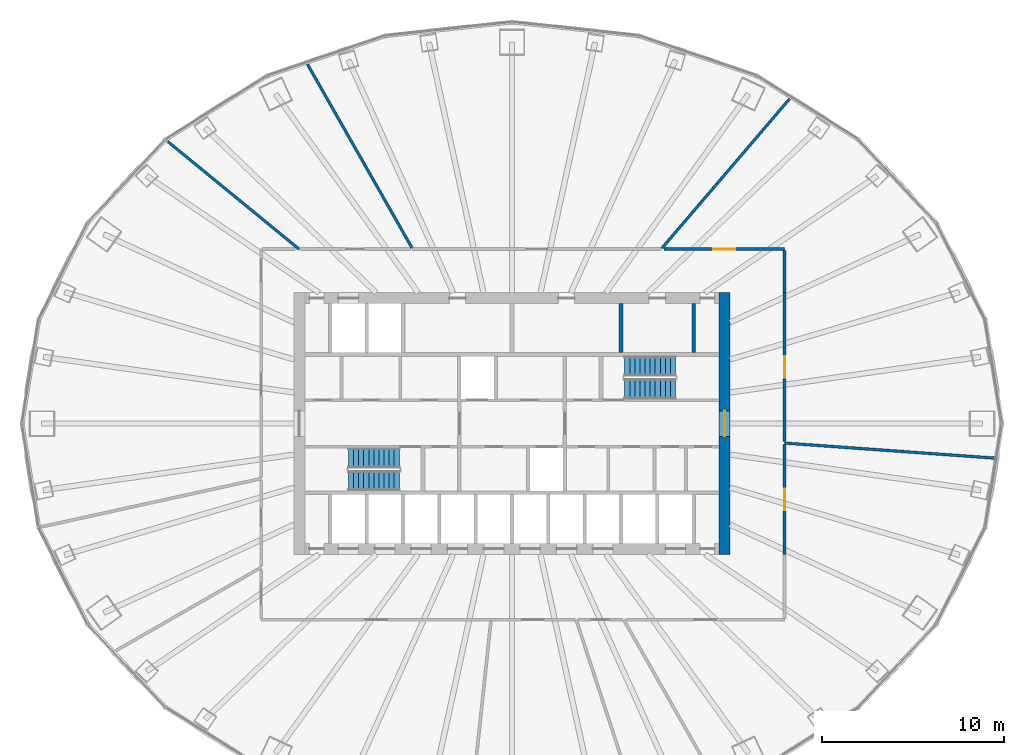
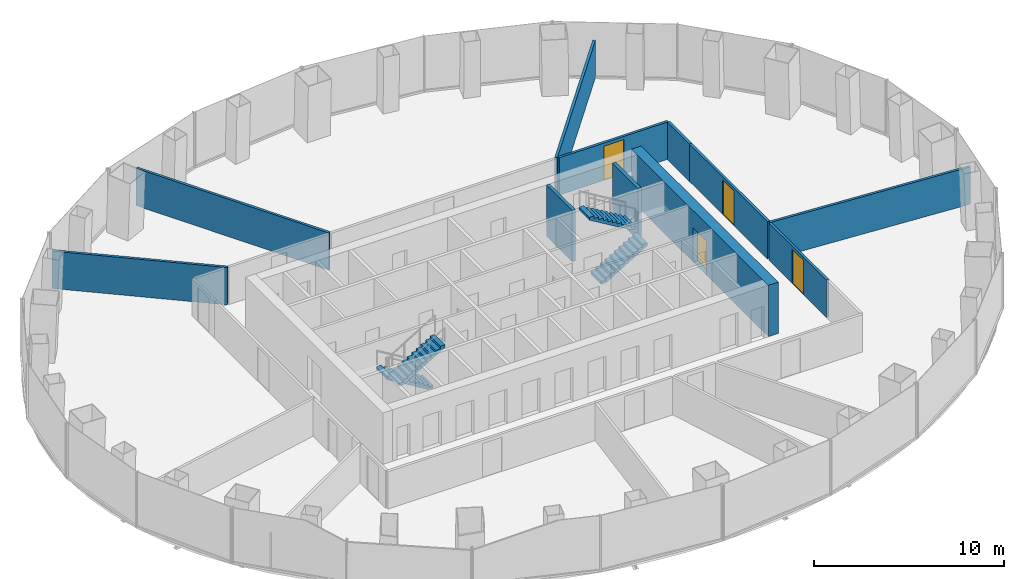
# One storey, part 10 of 11: 11 walls, 4 doors, 4 stair flights, 4 openings, 2 elements without a shape of their own.
"""IFC4 building model written with IfcOpenShell, lengths in metres."""

from ifc_helpers import new_model, si_unit, direction, frame, frame_2d, origin, place, context, subcontext, project, spatial, polyline, rectangle, outline, extrude, material, layer, layer_set, type_object, element, fill, aggregate, save


model = new_model("IFC4")

# Units and contexts
model_context = context("Model", 3, precision=1e-05, world=origin(), true_north=direction((0.0, 1.0)))
body_context = subcontext(model_context, "Body", "Model", "MODEL_VIEW")
ifc_project = project(units=[si_unit("LENGTHUNIT", "METRE"), si_unit("AREAUNIT", "SQUARE_METRE"), si_unit("VOLUMEUNIT", "CUBIC_METRE"), si_unit("PLANEANGLEUNIT", "RADIAN"), si_unit("MASSUNIT", "GRAM", prefix="KILO")], contexts=[model_context])

# Site, building, storey
site_placement = place(None, origin())
site = spatial("IfcSite", under=ifc_project, at=site_placement, CompositionType="ELEMENT")
building_placement = place(site_placement, origin())
building = spatial("IfcBuilding", under=site, at=building_placement, Name="Siaravel Broadcast Tower", CompositionType="ELEMENT")
storey_placement = place(building_placement, frame((0.0, 0.0, 74.10009765625)))
storey = spatial("IfcBuildingStorey", under=building, at=storey_placement, Name="L17", CompositionType="ELEMENT", Elevation=74.10009765625)

# Wall
ifc_material_1 = material(Name="Concrete blockwork", Category="masonry")
ifc_layer_1 = layer(ifc_material_1, 0.199951171875)
ifc_layer_set_1 = layer_set([ifc_layer_1], Name="Concrete blockwork")
wall_type_1 = type_object("IfcWallType", Name="Core partition 200", PredefinedType="PARTITIONING", material=ifc_layer_set_1)
wall_1_placement = place(storey_placement, frame((6.0, 3.89990234375, 0.0), z_axis=(0.0, 0.0, 1.0), x_axis=(0.0, 1.0, 0.0)))
element("IfcWall", 1, at=wall_1_placement, inside=storey, type_object=wall_type_1, Name="L17 core partition PFN5", PredefinedType="PARTITIONING", context=body_context, shape_type="SweptSolid", body=[
    extrude(rectangle(XDim=2.7001953125, YDim=0.199951171875, at=frame_2d((1.35009765625, 0.0))), origin(), (0.0, 0.0, 1.0), 3.2998046875),
])

# Wall, opening, door
ifc_material_2 = material(Name="Concrete C60/75", Category="concrete")
ifc_layer_2 = layer(ifc_material_2, 0.60009765625)
ifc_layer_set_2 = layer_set([ifc_layer_2], Name="Concrete C60/75")
wall_type_2 = type_object("IfcWallType", Name="Core wall 600", PredefinedType="SHEAR", material=ifc_layer_set_2)
wall_2_placement = place(storey_placement, frame((11.699951171875, -7.199951171875, 0.0), z_axis=(0.0, 0.0, 1.0), x_axis=(0.0, 1.0, 0.0)))
wall_2 = element("IfcWall", 2, at=wall_2_placement, inside=storey, type_object=wall_type_2, Name="L17 core wall OE", PredefinedType="SHEAR", context=body_context, shape_type="SweptSolid", body=[
    extrude(rectangle(XDim=14.39990234375, YDim=0.60009765625, at=frame_2d((7.199951171875, 0.0))), origin(), (0.0, 0.0, 1.0), 3.2998046875),
])
opening_1_placement = place(wall_2_placement, frame((6.5, 0.0, 0.0)))
opening_1 = element("IfcOpeningElement", 3, at=opening_1_placement, cuts=wall_2, Name="Opening L17-DX-E", PredefinedType="OPENING", context=body_context, shape_type="SweptSolid", body=[
    extrude(rectangle(XDim=1.39990234375, YDim=2.199951171875, at=frame_2d((0.699951171875, 1.10009765625))), frame((0.0, 0.31005859375, 0.0), z_axis=(0.0, -1.0, 0.0), x_axis=(1.0, 0.0, 0.0)), (0.0, 0.0, 1.0), 0.6201171875),
])
ifc_material_3 = material(Name="Steel", Category="steel")
door_type_1 = type_object("IfcDoorType", Name="Core exit door 1400", OperationType="DOUBLE_DOOR_SINGLE_SWING", PredefinedType="DOOR", material=ifc_material_3)
door_1_placement = place(opening_1_placement, origin())
door_1 = element("IfcDoor", 4, at=door_1_placement, inside=storey, type_object=door_type_1, Name="L17 door DX-E", OperationType="DOUBLE_DOOR_SINGLE_SWING", OverallHeight=2.199951171875, OverallWidth=1.39990234375, PredefinedType="DOOR", context=body_context, shape_type="SweptSolid", body=[
    extrude(rectangle(XDim=1.39990234375, YDim=2.199951171875, at=frame_2d((0.699951171875, 1.10009765625))), frame((0.0, 0.02490234375, 0.0), z_axis=(0.0, -1.0, 0.0), x_axis=(1.0, 0.0, 0.0)), (0.0, 0.0, 1.0), 0.050048828125),
])
fill(opening_1, door_1)

ifc_material_4 = material(Name="Gypsum board partition", Category="gypsum")
ifc_layer_3 = layer(ifc_material_4, 0.14990234375)
ifc_layer_set_3 = layer_set([ifc_layer_3], Name="Gypsum board partition")
wall_type_3 = type_object("IfcWallType", Name="Corridor wall 150", PredefinedType="PARTITIONING", material=ifc_layer_set_3)
wall_3_placement = place(storey_placement, frame((15.0, -0.998291015625, 0.0), z_axis=(0.0, 0.0, 1.0), x_axis=(0.0, 1.0, 0.0)))
wall_3 = element("IfcWall", 5, at=wall_3_placement, inside=storey, type_object=wall_type_3, Name="L17 partition 14", PredefinedType="PARTITIONING", context=body_context, shape_type="SweptSolid", body=[
    extrude(rectangle(XDim=8.210205078125, YDim=0.14990234375, at=frame_2d((4.10498046875, 0.0))), origin(), (0.0, 0.0, 1.0), 2.39990234375),
])
opening_2_placement = place(wall_3_placement, frame((3.505126953125, 0.0, 0.0)))
opening_2 = element("IfcOpeningElement", 6, at=opening_2_placement, cuts=wall_3, Name="Opening L17-003", PredefinedType="OPENING", context=body_context, shape_type="SweptSolid", body=[
    extrude(rectangle(XDim=1.199951171875, YDim=2.199951171875, at=frame_2d((0.60009765625, 1.10009765625))), frame((0.0, 0.0849609375, 0.0), z_axis=(0.0, -1.0, 0.0), x_axis=(1.0, 0.0, 0.0)), (0.0, 0.0, 1.0), 0.169921875),
])
ifc_material_5 = material(Name="Timber veneer", Category="wood")
door_type_2 = type_object("IfcDoorType", Name="Office double door 1200", OperationType="DOUBLE_DOOR_SINGLE_SWING", PredefinedType="DOOR", material=ifc_material_5)
door_2_placement = place(opening_2_placement, origin())
door_2 = element("IfcDoor", 7, at=door_2_placement, inside=storey, type_object=door_type_2, Name="L17 door to Open plan newsroom", OperationType="DOUBLE_DOOR_SINGLE_SWING", OverallHeight=2.199951171875, OverallWidth=1.199951171875, PredefinedType="DOOR", context=body_context, shape_type="SweptSolid", body=[
    extrude(rectangle(XDim=1.199951171875, YDim=2.199951171875, at=frame_2d((0.60009765625, 1.10009765625))), frame((0.0, 0.02490234375, 0.0), z_axis=(0.0, -1.0, 0.0), x_axis=(1.0, 0.0, 0.0)), (0.0, 0.0, 1.0), 0.050048828125),
])
fill(opening_2, door_2)

wall_4_placement = place(storey_placement, frame((15.0, 9.60009765625, 0.0), z_axis=(0.0, 0.0, 1.0), x_axis=(-1.0, 0.0, 0.0)))
wall_4 = element("IfcWall", 8, at=wall_4_placement, inside=storey, type_object=wall_type_3, Name="L17 partition 15", PredefinedType="PARTITIONING", context=body_context, shape_type="SweptSolid", body=[
    extrude(rectangle(XDim=6.62890625, YDim=0.14990234375, at=frame_2d((3.314453125, 0.0))), origin(), (0.0, 0.0, 1.0), 2.39990234375),
])
opening_3_placement = place(wall_4_placement, frame((2.71435546875, 0.0, 0.0)))
opening_3 = element("IfcOpeningElement", 9, at=opening_3_placement, cuts=wall_4, Name="Opening L17-004", PredefinedType="OPENING", context=body_context, shape_type="SweptSolid", body=[
    extrude(rectangle(XDim=1.199951171875, YDim=2.199951171875, at=frame_2d((0.60009765625, 1.10009765625))), frame((0.0, 0.0849609375, 0.0), z_axis=(0.0, -1.0, 0.0), x_axis=(1.0, 0.0, 0.0)), (0.0, 0.0, 1.0), 0.169921875),
])
door_3_placement = place(opening_3_placement, origin())
door_3 = element("IfcDoor", 10, at=door_3_placement, inside=storey, type_object=door_type_2, Name="L17 door to Open plan newsroom", OperationType="DOUBLE_DOOR_SINGLE_SWING", OverallHeight=2.199951171875, OverallWidth=1.199951171875, PredefinedType="DOOR", context=body_context, shape_type="SweptSolid", body=[
    extrude(rectangle(XDim=1.199951171875, YDim=2.199951171875, at=frame_2d((0.60009765625, 1.10009765625))), frame((0.0, 0.02490234375, 0.0), z_axis=(0.0, -1.0, 0.0), x_axis=(1.0, 0.0, 0.0)), (0.0, 0.0, 1.0), 0.050048828125),
])
fill(opening_3, door_3)

wall_5_placement = place(storey_placement, frame((15.0, -7.2119140625, 0.0), z_axis=(0.0, 0.0, 1.0), x_axis=(0.0, 1.0, 0.0)))
wall_5 = element("IfcWall", 11, at=wall_5_placement, inside=storey, type_object=wall_type_3, Name="L17 partition 17", PredefinedType="PARTITIONING", context=body_context, shape_type="SweptSolid", body=[
    extrude(rectangle(XDim=6.054443359375, YDim=0.14990234375, at=frame_2d((3.02734375, 0.0))), origin(), (0.0, 0.0, 1.0), 2.39990234375),
])
opening_4_placement = place(wall_5_placement, frame((2.42724609375, 0.0, 0.0)))
opening_4 = element("IfcOpeningElement", 12, at=opening_4_placement, cuts=wall_5, Name="Opening L17-002", PredefinedType="OPENING", context=body_context, shape_type="SweptSolid", body=[
    extrude(rectangle(XDim=1.199951171875, YDim=2.199951171875, at=frame_2d((0.60009765625, 1.10009765625))), frame((0.0, 0.0849609375, 0.0), z_axis=(0.0, -1.0, 0.0), x_axis=(1.0, 0.0, 0.0)), (0.0, 0.0, 1.0), 0.169921875),
])
door_4_placement = place(opening_4_placement, origin())
door_4 = element("IfcDoor", 13, at=door_4_placement, inside=storey, type_object=door_type_2, Name="L17 door to Open plan newsroom", OperationType="DOUBLE_DOOR_SINGLE_SWING", OverallHeight=2.199951171875, OverallWidth=1.199951171875, PredefinedType="DOOR", context=body_context, shape_type="SweptSolid", body=[
    extrude(rectangle(XDim=1.199951171875, YDim=2.199951171875, at=frame_2d((0.60009765625, 1.10009765625))), frame((0.0, 0.02490234375, 0.0), z_axis=(0.0, -1.0, 0.0), x_axis=(1.0, 0.0, 0.0)), (0.0, 0.0, 1.0), 0.050048828125),
])
fill(opening_4, door_4)

# Walls
wall_6_placement = place(storey_placement, frame((15.0, 7.212890625, 0.0), z_axis=(0.0, 0.0, 1.0), x_axis=(0.0, 1.0, 0.0)))
element("IfcWall", 14, at=wall_6_placement, inside=storey, type_object=wall_type_3, Name="L17 partition 24", PredefinedType="PARTITIONING", context=body_context, shape_type="SweptSolid", body=[
    extrude(rectangle(XDim=2.31005859375, YDim=0.14990234375, at=frame_2d((1.155029296875, 0.0))), origin(), (0.0, 0.0, 1.0), 2.39990234375),
])
ifc_layer_4 = layer(ifc_material_4, 0.14990234375)
ifc_layer_set_4 = layer_set([ifc_layer_4], Name="Gypsum board partition")
wall_type_4 = type_object("IfcWallType", Name="Room partition 150", PredefinedType="PARTITIONING", material=ifc_layer_set_4)
wall_7_placement = place(storey_placement, frame((-11.313720703125, 19.873779296875, 0.0), z_axis=(0.0, 0.0, 1.0), x_axis=(0.49473362, -0.869044674, 0.0)))
element("IfcWall", 15, at=wall_7_placement, inside=storey, type_object=wall_type_4, Name="L17 partition 4", PredefinedType="PARTITIONING", context=body_context, shape_type="SweptSolid", body=[
    extrude(rectangle(XDim=11.754638671875, YDim=0.14990234375, at=frame_2d((5.87744140625, 0.0))), origin(), (0.0, 0.0, 1.0), 2.39990234375),
])
wall_8_placement = place(storey_placement, frame((26.691650390625, -1.912841796875, 0.0), z_axis=(0.0, 0.0, 1.0), x_axis=(-0.997441861, 0.071482396, 0.0)))
element("IfcWall", 16, at=wall_8_placement, inside=storey, type_object=wall_type_4, Name="L17 partition 5", PredefinedType="PARTITIONING", context=body_context, shape_type="SweptSolid", body=[
    extrude(rectangle(XDim=11.7216796875, YDim=0.14990234375, at=frame_2d((5.86083984375, 0.0))), origin(), (0.0, 0.0, 1.0), 2.39990234375),
])
wall_9_placement = place(storey_placement, frame((15.35693359375, 17.965087890625, 0.0), z_axis=(0.0, 0.0, 1.0), x_axis=(-0.649780526, -0.760121877, 0.0)))
element("IfcWall", 17, at=wall_9_placement, inside=storey, type_object=wall_type_4, Name="L17 partition 7", PredefinedType="PARTITIONING", context=body_context, shape_type="SweptSolid", body=[
    extrude(rectangle(XDim=10.94580078125, YDim=0.14990234375, at=frame_2d((5.472900390625, 0.0))), origin(), (0.0, 0.0, 1.0), 2.39990234375),
])
wall_10_placement = place(storey_placement, frame((-18.93701171875, 15.511474609375, 0.0), z_axis=(0.0, 0.0, 1.0), x_axis=(0.773614383, -0.633656678, 0.0)))
element("IfcWall", 18, at=wall_10_placement, inside=storey, type_object=wall_type_4, Name="L17 partition 12", PredefinedType="PARTITIONING", context=body_context, shape_type="SweptSolid", body=[
    extrude(rectangle(XDim=9.3291015625, YDim=0.14990234375, at=frame_2d((4.66455078125, 0.0))), origin(), (0.0, 0.0, 1.0), 2.39990234375),
])
ifc_layer_5 = layer(ifc_material_2, 0.199951171875)
ifc_layer_set_5 = layer_set([ifc_layer_5], Name="Concrete C60/75")
wall_type_5 = type_object("IfcWallType", Name="Shaft wall 200", PredefinedType="SHEAR", material=ifc_layer_set_5)
wall_11_placement = place(storey_placement, frame((10.0, 3.89990234375, 0.0), z_axis=(0.0, 0.0, 1.0), x_axis=(0.0, 1.0, 0.0)))
element("IfcWall", 19, at=wall_11_placement, inside=storey, type_object=wall_type_5, Name="L17 core wall SWN10", PredefinedType="SHEAR", context=body_context, shape_type="SweptSolid", body=[
    extrude(rectangle(XDim=2.7001953125, YDim=0.199951171875, at=frame_2d((1.35009765625, 0.0))), origin(), (0.0, 0.0, 1.0), 3.2998046875),
])

# Stair, stair flights
ifc_material_6 = material(Name="Concrete C40/50", Category="concrete")
stair_type = type_object("IfcStairType", Name="Core exit stair", PredefinedType="HALF_TURN_STAIR", material=ifc_material_6)
stair_1_placement = place(storey_placement, origin())
stair_1 = element("IfcStair", 20, at=stair_1_placement, inside=storey, type_object=stair_type, Name="L17 Exit stair ST-1", PredefinedType="HALF_TURN_STAIR")
stair_flight_type = type_object("IfcStairFlightType", Name="Stair flight 1100", PredefinedType="STRAIGHT", material=ifc_material_6)
stair_flight_1_placement = place(storey_placement, frame((-6.199951171875, -1.89990234375, 0.0), z_axis=(0.0, 0.0, 1.0), x_axis=(-1.0, 0.0, 0.0)))
stair_flight_1 = element("IfcStairFlight", 21, at=stair_flight_1_placement, type_object=stair_flight_type, Name="ST-1 flight 1", NumberOfRisers=11, NumberOfTreads=10, PredefinedType="STRAIGHT", RiserHeight=0.1681818, TreadLength=0.28, context=body_context, shape_type="SweptSolid", body=[
    extrude(outline(polyline([(0.0, 0.0), (0.0, 0.168212890625), (0.280029296875, 0.168212890625), (0.280029296875, 0.33642578125), (0.56005859375, 0.33642578125), (0.56005859375, 0.504638671875), (0.840087890625, 0.504638671875), (0.840087890625, 0.672607421875), (1.1201171875, 0.672607421875), (1.1201171875, 0.8408203125), (1.39990234375, 0.8408203125), (1.39990234375, 1.009033203125), (1.679931640625, 1.009033203125), (1.679931640625, 1.17724609375), (1.9599609375, 1.17724609375), (1.9599609375, 1.345458984375), (2.239990234375, 1.345458984375), (2.239990234375, 1.513671875), (2.52001953125, 1.513671875), (2.52001953125, 1.681884765625), (2.800048828125, 1.681884765625), (2.800048828125, 1.85009765625), (2.800048828125, 1.5068359375), (0.291015625, 0.0), (0.0, 0.0)])), frame((0.0, 0.550048828125, 0.0), z_axis=(0.0, -1.0, 0.0), x_axis=(1.0, 0.0, 0.0)), (0.0, 0.0, 1.0), 1.10009765625),
])
stair_flight_2_placement = place(storey_placement, frame((-9.0, -3.14990234375, 1.849853515625), z_axis=(0.0, 0.0, 1.0), x_axis=(1.0, 0.0, 0.0)))
stair_flight_2 = element("IfcStairFlight", 22, at=stair_flight_2_placement, type_object=stair_flight_type, Name="ST-1 flight 2", NumberOfRisers=11, NumberOfTreads=10, PredefinedType="STRAIGHT", RiserHeight=0.1681818, TreadLength=0.28, context=body_context, shape_type="SweptSolid", body=[
    extrude(outline(polyline([(0.0, 0.0), (0.0, 0.168212890625), (0.280029296875, 0.168212890625), (0.280029296875, 0.33642578125), (0.56005859375, 0.33642578125), (0.56005859375, 0.504638671875), (0.840087890625, 0.504638671875), (0.840087890625, 0.672607421875), (1.1201171875, 0.672607421875), (1.1201171875, 0.8408203125), (1.39990234375, 0.8408203125), (1.39990234375, 1.009033203125), (1.679931640625, 1.009033203125), (1.679931640625, 1.17724609375), (1.9599609375, 1.17724609375), (1.9599609375, 1.345458984375), (2.239990234375, 1.345458984375), (2.239990234375, 1.513671875), (2.52001953125, 1.513671875), (2.52001953125, 1.681884765625), (2.800048828125, 1.681884765625), (2.800048828125, 1.85009765625), (2.800048828125, 1.5068359375), (0.291015625, 0.0), (0.0, 0.0)])), frame((0.0, 0.550048828125, 0.0), z_axis=(0.0, -1.0, 0.0), x_axis=(1.0, 0.0, 0.0)), (0.0, 0.0, 1.0), 1.10009765625),
])
aggregate(stair_1, [stair_flight_1, stair_flight_2])

stair_2_placement = place(storey_placement, origin())
stair_2 = element("IfcStair", 23, at=stair_2_placement, inside=storey, type_object=stair_type, Name="L17 Exit stair ST-2", PredefinedType="HALF_TURN_STAIR")
stair_flight_3_placement = place(storey_placement, frame((6.199951171875, 1.89990234375, 0.0), z_axis=(0.0, 0.0, 1.0), x_axis=(1.0, 0.0, 0.0)))
stair_flight_3 = element("IfcStairFlight", 24, at=stair_flight_3_placement, type_object=stair_flight_type, Name="ST-2 flight 1", NumberOfRisers=11, NumberOfTreads=10, PredefinedType="STRAIGHT", RiserHeight=0.1681818, TreadLength=0.28, context=body_context, shape_type="SweptSolid", body=[
    extrude(outline(polyline([(0.0, 0.0), (0.0, 0.168212890625), (0.280029296875, 0.168212890625), (0.280029296875, 0.33642578125), (0.56005859375, 0.33642578125), (0.56005859375, 0.504638671875), (0.840087890625, 0.504638671875), (0.840087890625, 0.672607421875), (1.1201171875, 0.672607421875), (1.1201171875, 0.8408203125), (1.39990234375, 0.8408203125), (1.39990234375, 1.009033203125), (1.679931640625, 1.009033203125), (1.679931640625, 1.17724609375), (1.9599609375, 1.17724609375), (1.9599609375, 1.345458984375), (2.239990234375, 1.345458984375), (2.239990234375, 1.513671875), (2.52001953125, 1.513671875), (2.52001953125, 1.681884765625), (2.800048828125, 1.681884765625), (2.800048828125, 1.85009765625), (2.800048828125, 1.5068359375), (0.291015625, 0.0), (0.0, 0.0)])), frame((0.0, 0.550048828125, 0.0), z_axis=(0.0, -1.0, 0.0), x_axis=(1.0, 0.0, 0.0)), (0.0, 0.0, 1.0), 1.10009765625),
])
stair_flight_4_placement = place(storey_placement, frame((9.0, 3.14990234375, 1.849853515625), z_axis=(0.0, 0.0, 1.0), x_axis=(-1.0, 0.0, 0.0)))
stair_flight_4 = element("IfcStairFlight", 25, at=stair_flight_4_placement, type_object=stair_flight_type, Name="ST-2 flight 2", NumberOfRisers=11, NumberOfTreads=10, PredefinedType="STRAIGHT", RiserHeight=0.1681818, TreadLength=0.28, context=body_context, shape_type="SweptSolid", body=[
    extrude(outline(polyline([(0.0, 0.0), (0.0, 0.168212890625), (0.280029296875, 0.168212890625), (0.280029296875, 0.33642578125), (0.56005859375, 0.33642578125), (0.56005859375, 0.504638671875), (0.840087890625, 0.504638671875), (0.840087890625, 0.672607421875), (1.1201171875, 0.672607421875), (1.1201171875, 0.8408203125), (1.39990234375, 0.8408203125), (1.39990234375, 1.009033203125), (1.679931640625, 1.009033203125), (1.679931640625, 1.17724609375), (1.9599609375, 1.17724609375), (1.9599609375, 1.345458984375), (2.239990234375, 1.345458984375), (2.239990234375, 1.513671875), (2.52001953125, 1.513671875), (2.52001953125, 1.681884765625), (2.800048828125, 1.681884765625), (2.800048828125, 1.85009765625), (2.800048828125, 1.5068359375), (0.291015625, 0.0), (0.0, 0.0)])), frame((0.0, 0.550048828125, 0.0), z_axis=(0.0, -1.0, 0.0), x_axis=(1.0, 0.0, 0.0)), (0.0, 0.0, 1.0), 1.10009765625),
])
aggregate(stair_2, [stair_flight_3, stair_flight_4])

save(model, "model.ifc")
